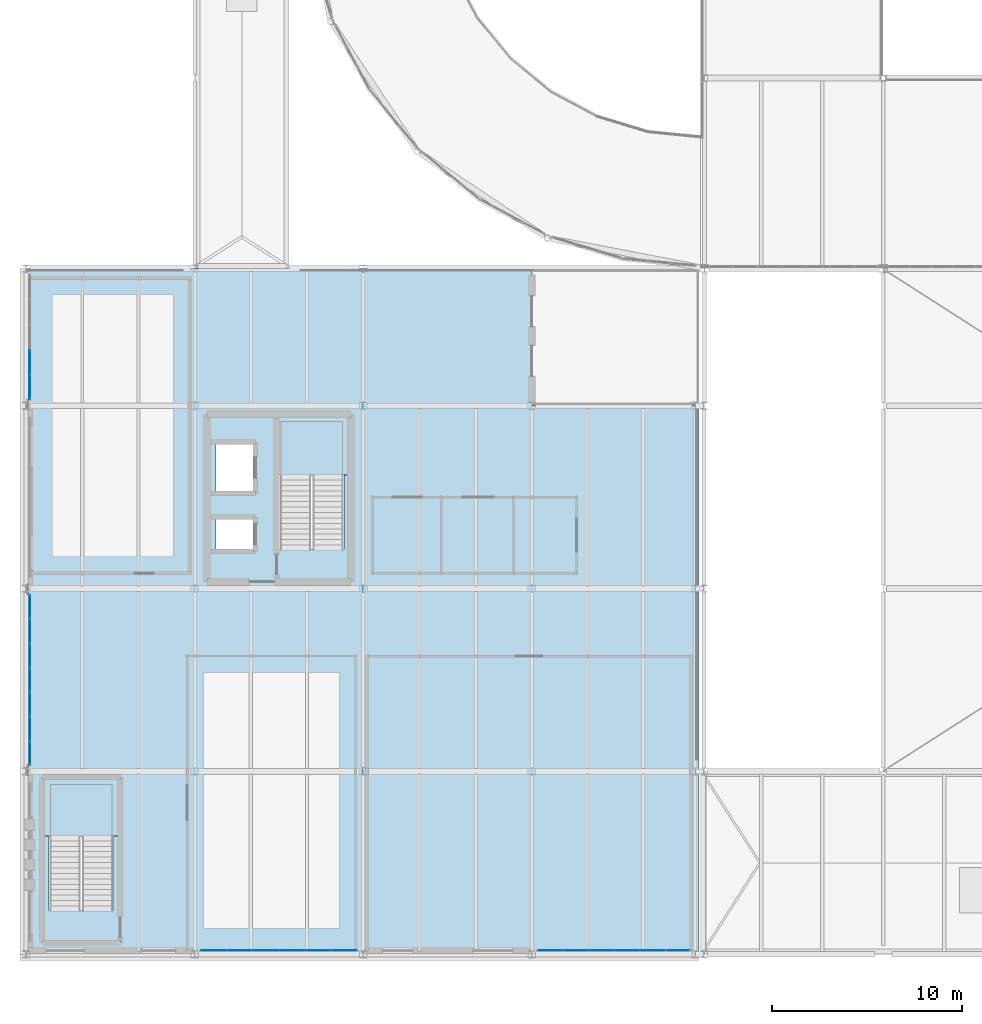
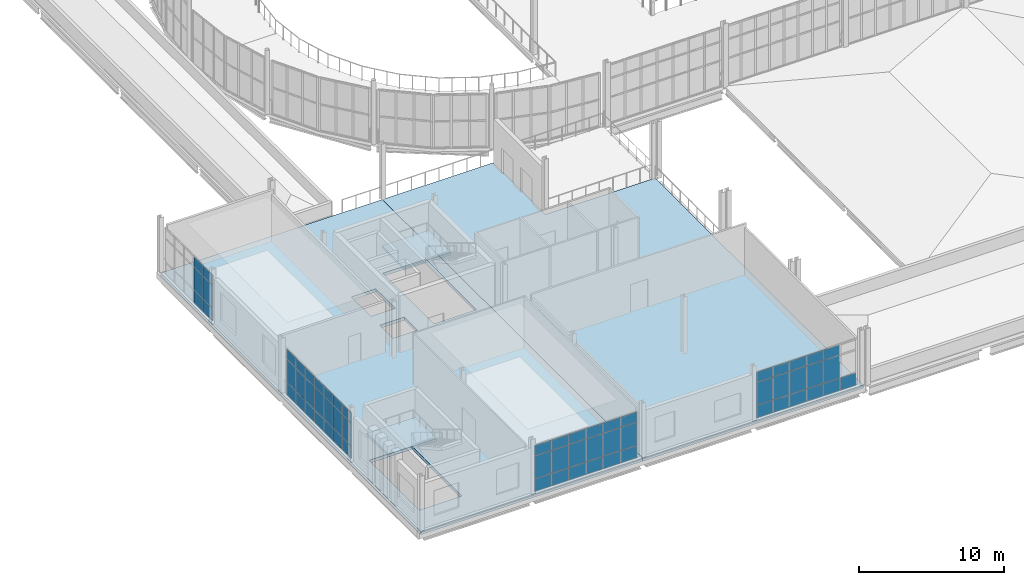
# One storey, part 72 of 112: 61 plates, 4 slabs, 6 elements without a shape of their own.
"""IFC4 building model written with IfcOpenShell, lengths in metres."""

from ifc_helpers import new_model, si_unit, direction, frame, origin, origin_2d, place, context, subcontext, project, spatial, polyline, rectangle, outline, extrude, material, layer, layer_set, type_object, element, aggregate, save


model = new_model("IFC4")

# Units and contexts
model_context = context("Model", 3, precision=1e-05, world=origin(), true_north=direction((0.0, 1.0)))
body_context = subcontext(model_context, "Body", "Model", "MODEL_VIEW")
ifc_project = project(units=[si_unit("LENGTHUNIT", "METRE"), si_unit("AREAUNIT", "SQUARE_METRE"), si_unit("VOLUMEUNIT", "CUBIC_METRE"), si_unit("PLANEANGLEUNIT", "RADIAN"), si_unit("MASSUNIT", "GRAM", prefix="KILO")], contexts=[model_context])

# Site, building, storey
site_placement = place(None, origin())
site = spatial("IfcSite", under=ifc_project, at=site_placement, CompositionType="ELEMENT")
building_placement = place(site_placement, origin())
building = spatial("IfcBuilding", under=site, at=building_placement, Name="Yeouljin Market Hall", CompositionType="ELEMENT")
storey_placement = place(building_placement, frame((0.0, 0.0, 6.0)))
storey = spatial("IfcBuildingStorey", under=building, at=storey_placement, Name="L01", CompositionType="ELEMENT", Elevation=6.0)

# Curtain wall, plates
ifc_material_1 = material(Name="Thermally Broken Aluminium", Category="aluminium")
ifc_layer_1 = layer(ifc_material_1, 0.14990234375)
ifc_layer_set_1 = layer_set([ifc_layer_1], Name="Thermally Broken Aluminium")
curtain_wall_type = type_object("IfcCurtainWallType", Name="CW_AcademyRibbon_System", PredefinedType="USERDEFINED", material=ifc_layer_set_1)
curtain_wall_1_placement = place(storey_placement, origin())
curtain_wall_1 = element("IfcCurtainWall", 1, at=curtain_wall_1_placement, inside=storey, type_object=curtain_wall_type, Name="Curtain wall CW-L01-W08", ObjectType="CURTAIN WALL", PredefinedType="USERDEFINED")
ifc_material_2 = material(Name="Anodised Bronze Spandrel Panel")
ifc_layer_2 = layer(ifc_material_2, 0.0439453125)
ifc_layer_set_2 = layer_set([ifc_layer_2], Name="Anodised Bronze Spandrel Panel")
plate_type_1 = type_object("IfcPlateType", Name="CWPanel_BronzeSpandrel_44", PredefinedType="CURTAIN_PANEL", material=ifc_layer_set_2)
plate_1_placement = place(storey_placement, frame((0.199951171875, 29.77197265625, 0.0478515625), z_axis=(0.0, 0.0, 1.0), x_axis=(0.0, 1.0, 0.0)))
plate_1 = element("IfcPlate", 2, at=plate_1_placement, type_object=plate_type_1, Name="CW-05 panel 1.1", PredefinedType="CURTAIN_PANEL", context=body_context, shape_type="SweptSolid", body=[
    extrude(rectangle(XDim=1.248046875, YDim=0.0439453125, at=origin_2d()), origin(), (0.0, 0.0, 1.0), 1.028076171875),
])
plate_2_placement = place(storey_placement, frame((0.199951171875, 29.77197265625, 1.1240234375), z_axis=(0.0, 0.0, 1.0), x_axis=(0.0, 1.0, 0.0)))
plate_2 = element("IfcPlate", 3, at=plate_2_placement, type_object=plate_type_1, Name="CW-05 panel 1.2", PredefinedType="CURTAIN_PANEL", context=body_context, shape_type="SweptSolid", body=[
    extrude(rectangle(XDim=1.248046875, YDim=0.0439453125, at=origin_2d()), origin(), (0.0, 0.0, 1.0), 1.902099609375),
])
plate_3_placement = place(storey_placement, frame((0.199951171875, 29.77197265625, 3.07421875), z_axis=(0.0, 0.0, 1.0), x_axis=(0.0, 1.0, 0.0)))
plate_3 = element("IfcPlate", 4, at=plate_3_placement, type_object=plate_type_1, Name="CW-05 panel 1.3", PredefinedType="CURTAIN_PANEL", context=body_context, shape_type="SweptSolid", body=[
    extrude(rectangle(XDim=1.248046875, YDim=0.0439453125, at=origin_2d()), origin(), (0.0, 0.0, 1.0), 0.827880859375),
])
plate_4_placement = place(storey_placement, frame((0.199951171875, 31.080078125, 0.0478515625), z_axis=(0.0, 0.0, 1.0), x_axis=(0.0, 1.0, 0.0)))
plate_4 = element("IfcPlate", 5, at=plate_4_placement, type_object=plate_type_1, Name="CW-05 panel 2.1", PredefinedType="CURTAIN_PANEL", context=body_context, shape_type="SweptSolid", body=[
    extrude(rectangle(XDim=1.27197265625, YDim=0.0439453125, at=origin_2d()), origin(), (0.0, 0.0, 1.0), 1.028076171875),
])
plate_5_placement = place(storey_placement, frame((0.199951171875, 31.080078125, 1.1240234375), z_axis=(0.0, 0.0, 1.0), x_axis=(0.0, 1.0, 0.0)))
plate_5 = element("IfcPlate", 6, at=plate_5_placement, type_object=plate_type_1, Name="CW-05 panel 2.2", PredefinedType="CURTAIN_PANEL", context=body_context, shape_type="SweptSolid", body=[
    extrude(rectangle(XDim=1.27197265625, YDim=0.0439453125, at=origin_2d()), origin(), (0.0, 0.0, 1.0), 1.902099609375),
])
plate_6_placement = place(storey_placement, frame((0.199951171875, 31.080078125, 3.07421875), z_axis=(0.0, 0.0, 1.0), x_axis=(0.0, 1.0, 0.0)))
plate_6 = element("IfcPlate", 7, at=plate_6_placement, type_object=plate_type_1, Name="CW-05 panel 2.3", PredefinedType="CURTAIN_PANEL", context=body_context, shape_type="SweptSolid", body=[
    extrude(rectangle(XDim=1.27197265625, YDim=0.0439453125, at=origin_2d()), origin(), (0.0, 0.0, 1.0), 0.827880859375),
])
aggregate(curtain_wall_1, [plate_1, plate_2, plate_3, plate_4, plate_5, plate_6])

curtain_wall_2_placement = place(storey_placement, origin())
curtain_wall_2 = element("IfcCurtainWall", 8, at=curtain_wall_2_placement, inside=storey, type_object=curtain_wall_type, Name="Curtain wall CW-L01-W01", ObjectType="CURTAIN WALL", PredefinedType="USERDEFINED")
ifc_material_3 = material(Name="Low-E Insulated Glass", Category="glass")
ifc_layer_3 = layer(ifc_material_3, 0.028076171875)
ifc_layer_set_3 = layer_set([ifc_layer_3], Name="Low-E Insulated Glass")
plate_type_2 = type_object("IfcPlateType", Name="CWPanel_LowE_28", PredefinedType="CURTAIN_PANEL", material=ifc_layer_set_3)
plate_7_placement = place(storey_placement, frame((34.21728515625, 0.199951171875, 0.0478515625), z_axis=(0.0, 0.0, 1.0), x_axis=(-1.0, 0.0, 0.0)))
plate_7 = element("IfcPlate", 9, at=plate_7_placement, type_object=plate_type_2, Name="CW-05 panel 1.1", PredefinedType="CURTAIN_PANEL", context=body_context, shape_type="SweptSolid", body=[
    extrude(rectangle(XDim=1.269775390625, YDim=0.028076171875, at=origin_2d()), origin(), (0.0, 0.0, 1.0), 1.028076171875),
])
plate_8_placement = place(storey_placement, frame((32.887451171875, 0.199951171875, 0.0478515625), z_axis=(0.0, 0.0, 1.0), x_axis=(-1.0, 0.0, 0.0)))
plate_8 = element("IfcPlate", 10, at=plate_8_placement, type_object=plate_type_2, Name="CW-05 panel 2.1", PredefinedType="CURTAIN_PANEL", context=body_context, shape_type="SweptSolid", body=[
    extrude(rectangle(XDim=1.293701171875, YDim=0.028076171875, at=origin_2d()), origin(), (0.0, 0.0, 1.0), 1.028076171875),
])
plate_9_placement = place(storey_placement, frame((32.887451171875, 0.199951171875, 1.1240234375), z_axis=(0.0, 0.0, 1.0), x_axis=(-1.0, 0.0, 0.0)))
plate_9 = element("IfcPlate", 11, at=plate_9_placement, type_object=plate_type_2, Name="CW-05 panel 2.2", PredefinedType="CURTAIN_PANEL", context=body_context, shape_type="SweptSolid", body=[
    extrude(rectangle(XDim=1.293701171875, YDim=0.028076171875, at=origin_2d()), origin(), (0.0, 0.0, 1.0), 1.902099609375),
])
plate_10_placement = place(storey_placement, frame((32.887451171875, 0.199951171875, 3.07421875), z_axis=(0.0, 0.0, 1.0), x_axis=(-1.0, 0.0, 0.0)))
plate_10 = element("IfcPlate", 12, at=plate_10_placement, type_object=plate_type_2, Name="CW-05 panel 2.3", PredefinedType="CURTAIN_PANEL", context=body_context, shape_type="SweptSolid", body=[
    extrude(rectangle(XDim=1.293701171875, YDim=0.028076171875, at=origin_2d()), origin(), (0.0, 0.0, 1.0), 0.827880859375),
])
plate_11_placement = place(storey_placement, frame((31.5458984375, 0.199951171875, 0.0478515625), z_axis=(0.0, 0.0, 1.0), x_axis=(-1.0, 0.0, 0.0)))
plate_11 = element("IfcPlate", 13, at=plate_11_placement, type_object=plate_type_2, Name="CW-05 panel 3.1", PredefinedType="CURTAIN_PANEL", context=body_context, shape_type="SweptSolid", body=[
    extrude(rectangle(XDim=1.293701171875, YDim=0.028076171875, at=origin_2d()), origin(), (0.0, 0.0, 1.0), 1.028076171875),
])
plate_12_placement = place(storey_placement, frame((31.5458984375, 0.199951171875, 1.1240234375), z_axis=(0.0, 0.0, 1.0), x_axis=(-1.0, 0.0, 0.0)))
plate_12 = element("IfcPlate", 14, at=plate_12_placement, type_object=plate_type_2, Name="CW-05 panel 3.2", PredefinedType="CURTAIN_PANEL", context=body_context, shape_type="SweptSolid", body=[
    extrude(rectangle(XDim=1.293701171875, YDim=0.028076171875, at=origin_2d()), origin(), (0.0, 0.0, 1.0), 1.902099609375),
])
plate_13_placement = place(storey_placement, frame((31.5458984375, 0.199951171875, 3.07421875), z_axis=(0.0, 0.0, 1.0), x_axis=(-1.0, 0.0, 0.0)))
plate_13 = element("IfcPlate", 15, at=plate_13_placement, type_object=plate_type_2, Name="CW-05 panel 3.3", PredefinedType="CURTAIN_PANEL", context=body_context, shape_type="SweptSolid", body=[
    extrude(rectangle(XDim=1.293701171875, YDim=0.028076171875, at=origin_2d()), origin(), (0.0, 0.0, 1.0), 0.827880859375),
])
plate_14_placement = place(storey_placement, frame((30.2041015625, 0.199951171875, 0.0478515625), z_axis=(0.0, 0.0, 1.0), x_axis=(-1.0, 0.0, 0.0)))
plate_14 = element("IfcPlate", 16, at=plate_14_placement, type_object=plate_type_2, Name="CW-05 panel 4.1", PredefinedType="CURTAIN_PANEL", context=body_context, shape_type="SweptSolid", body=[
    extrude(rectangle(XDim=1.293701171875, YDim=0.028076171875, at=origin_2d()), origin(), (0.0, 0.0, 1.0), 1.028076171875),
])
plate_15_placement = place(storey_placement, frame((30.2041015625, 0.199951171875, 1.1240234375), z_axis=(0.0, 0.0, 1.0), x_axis=(-1.0, 0.0, 0.0)))
plate_15 = element("IfcPlate", 17, at=plate_15_placement, type_object=plate_type_2, Name="CW-05 panel 4.2", PredefinedType="CURTAIN_PANEL", context=body_context, shape_type="SweptSolid", body=[
    extrude(rectangle(XDim=1.293701171875, YDim=0.028076171875, at=origin_2d()), origin(), (0.0, 0.0, 1.0), 1.902099609375),
])
plate_16_placement = place(storey_placement, frame((30.2041015625, 0.199951171875, 3.07421875), z_axis=(0.0, 0.0, 1.0), x_axis=(-1.0, 0.0, 0.0)))
plate_16 = element("IfcPlate", 18, at=plate_16_placement, type_object=plate_type_2, Name="CW-05 panel 4.3", PredefinedType="CURTAIN_PANEL", context=body_context, shape_type="SweptSolid", body=[
    extrude(rectangle(XDim=1.293701171875, YDim=0.028076171875, at=origin_2d()), origin(), (0.0, 0.0, 1.0), 0.827880859375),
])
plate_17_placement = place(storey_placement, frame((28.862548828125, 0.199951171875, 0.0478515625), z_axis=(0.0, 0.0, 1.0), x_axis=(-1.0, 0.0, 0.0)))
plate_17 = element("IfcPlate", 19, at=plate_17_placement, type_object=plate_type_2, Name="CW-05 panel 5.1", PredefinedType="CURTAIN_PANEL", context=body_context, shape_type="SweptSolid", body=[
    extrude(rectangle(XDim=1.293701171875, YDim=0.028076171875, at=origin_2d()), origin(), (0.0, 0.0, 1.0), 1.028076171875),
])
plate_18_placement = place(storey_placement, frame((28.862548828125, 0.199951171875, 1.1240234375), z_axis=(0.0, 0.0, 1.0), x_axis=(-1.0, 0.0, 0.0)))
plate_18 = element("IfcPlate", 20, at=plate_18_placement, type_object=plate_type_2, Name="CW-05 panel 5.2", PredefinedType="CURTAIN_PANEL", context=body_context, shape_type="SweptSolid", body=[
    extrude(rectangle(XDim=1.293701171875, YDim=0.028076171875, at=origin_2d()), origin(), (0.0, 0.0, 1.0), 1.902099609375),
])
plate_19_placement = place(storey_placement, frame((28.862548828125, 0.199951171875, 3.07421875), z_axis=(0.0, 0.0, 1.0), x_axis=(-1.0, 0.0, 0.0)))
plate_19 = element("IfcPlate", 21, at=plate_19_placement, type_object=plate_type_2, Name="CW-05 panel 5.3", PredefinedType="CURTAIN_PANEL", context=body_context, shape_type="SweptSolid", body=[
    extrude(rectangle(XDim=1.293701171875, YDim=0.028076171875, at=origin_2d()), origin(), (0.0, 0.0, 1.0), 0.827880859375),
])
plate_20_placement = place(storey_placement, frame((27.53271484375, 0.199951171875, 0.0478515625), z_axis=(0.0, 0.0, 1.0), x_axis=(-1.0, 0.0, 0.0)))
plate_20 = element("IfcPlate", 22, at=plate_20_placement, type_object=plate_type_2, Name="CW-05 panel 6.1", PredefinedType="CURTAIN_PANEL", context=body_context, shape_type="SweptSolid", body=[
    extrude(rectangle(XDim=1.269775390625, YDim=0.028076171875, at=origin_2d()), origin(), (0.0, 0.0, 1.0), 1.028076171875),
])
plate_21_placement = place(storey_placement, frame((27.53271484375, 0.199951171875, 1.1240234375), z_axis=(0.0, 0.0, 1.0), x_axis=(-1.0, 0.0, 0.0)))
plate_21 = element("IfcPlate", 23, at=plate_21_placement, type_object=plate_type_2, Name="CW-05 panel 6.2", PredefinedType="CURTAIN_PANEL", context=body_context, shape_type="SweptSolid", body=[
    extrude(rectangle(XDim=1.269775390625, YDim=0.028076171875, at=origin_2d()), origin(), (0.0, 0.0, 1.0), 1.902099609375),
])
plate_22_placement = place(storey_placement, frame((27.53271484375, 0.199951171875, 3.07421875), z_axis=(0.0, 0.0, 1.0), x_axis=(-1.0, 0.0, 0.0)))
plate_22 = element("IfcPlate", 24, at=plate_22_placement, type_object=plate_type_2, Name="CW-05 panel 6.3", PredefinedType="CURTAIN_PANEL", context=body_context, shape_type="SweptSolid", body=[
    extrude(rectangle(XDim=1.269775390625, YDim=0.028076171875, at=origin_2d()), origin(), (0.0, 0.0, 1.0), 0.827880859375),
])
aggregate(curtain_wall_2, [plate_7, plate_8, plate_9, plate_10, plate_11, plate_12, plate_13, plate_14, plate_15, plate_16, plate_17, plate_18, plate_19, plate_20, plate_21, plate_22])

curtain_wall_3_placement = place(storey_placement, origin())
curtain_wall_3 = element("IfcCurtainWall", 25, at=curtain_wall_3_placement, inside=storey, type_object=curtain_wall_type, Name="Curtain wall CW-L01-W03", ObjectType="CURTAIN WALL", PredefinedType="USERDEFINED")
plate_23_placement = place(storey_placement, frame((16.700439453125, 0.199951171875, 0.0478515625), z_axis=(0.0, 0.0, 1.0), x_axis=(-1.0, 0.0, 0.0)))
plate_23 = element("IfcPlate", 26, at=plate_23_placement, type_object=plate_type_2, Name="CW-05 panel 1.1", PredefinedType="CURTAIN_PANEL", context=body_context, shape_type="SweptSolid", body=[
    extrude(rectangle(XDim=1.302978515625, YDim=0.028076171875, at=origin_2d()), origin(), (0.0, 0.0, 1.0), 1.028076171875),
])
plate_24_placement = place(storey_placement, frame((16.700439453125, 0.199951171875, 1.1240234375), z_axis=(0.0, 0.0, 1.0), x_axis=(-1.0, 0.0, 0.0)))
plate_24 = element("IfcPlate", 27, at=plate_24_placement, type_object=plate_type_2, Name="CW-05 panel 1.2", PredefinedType="CURTAIN_PANEL", context=body_context, shape_type="SweptSolid", body=[
    extrude(rectangle(XDim=1.302978515625, YDim=0.028076171875, at=origin_2d()), origin(), (0.0, 0.0, 1.0), 1.902099609375),
])
plate_25_placement = place(storey_placement, frame((16.700439453125, 0.199951171875, 3.07421875), z_axis=(0.0, 0.0, 1.0), x_axis=(-1.0, 0.0, 0.0)))
plate_25 = element("IfcPlate", 28, at=plate_25_placement, type_object=plate_type_2, Name="CW-05 panel 1.3", PredefinedType="CURTAIN_PANEL", context=body_context, shape_type="SweptSolid", body=[
    extrude(rectangle(XDim=1.302978515625, YDim=0.028076171875, at=origin_2d()), origin(), (0.0, 0.0, 1.0), 0.827880859375),
])
plate_26_placement = place(storey_placement, frame((15.33740234375, 0.199951171875, 0.0478515625), z_axis=(0.0, 0.0, 1.0), x_axis=(-1.0, 0.0, 0.0)))
plate_26 = element("IfcPlate", 29, at=plate_26_placement, type_object=plate_type_2, Name="CW-05 panel 2.1", PredefinedType="CURTAIN_PANEL", context=body_context, shape_type="SweptSolid", body=[
    extrude(rectangle(XDim=1.326904296875, YDim=0.028076171875, at=origin_2d()), origin(), (0.0, 0.0, 1.0), 1.028076171875),
])
plate_27_placement = place(storey_placement, frame((15.33740234375, 0.199951171875, 1.1240234375), z_axis=(0.0, 0.0, 1.0), x_axis=(-1.0, 0.0, 0.0)))
plate_27 = element("IfcPlate", 30, at=plate_27_placement, type_object=plate_type_2, Name="CW-05 panel 2.2", PredefinedType="CURTAIN_PANEL", context=body_context, shape_type="SweptSolid", body=[
    extrude(rectangle(XDim=1.326904296875, YDim=0.028076171875, at=origin_2d()), origin(), (0.0, 0.0, 1.0), 1.902099609375),
])
plate_28_placement = place(storey_placement, frame((15.33740234375, 0.199951171875, 3.07421875), z_axis=(0.0, 0.0, 1.0), x_axis=(-1.0, 0.0, 0.0)))
plate_28 = element("IfcPlate", 31, at=plate_28_placement, type_object=plate_type_2, Name="CW-05 panel 2.3", PredefinedType="CURTAIN_PANEL", context=body_context, shape_type="SweptSolid", body=[
    extrude(rectangle(XDim=1.326904296875, YDim=0.028076171875, at=origin_2d()), origin(), (0.0, 0.0, 1.0), 0.827880859375),
])
plate_29_placement = place(storey_placement, frame((13.96240234375, 0.199951171875, 0.0478515625), z_axis=(0.0, 0.0, 1.0), x_axis=(-1.0, 0.0, 0.0)))
plate_29 = element("IfcPlate", 32, at=plate_29_placement, type_object=plate_type_2, Name="CW-05 panel 3.1", PredefinedType="CURTAIN_PANEL", context=body_context, shape_type="SweptSolid", body=[
    extrude(rectangle(XDim=1.326904296875, YDim=0.028076171875, at=origin_2d()), origin(), (0.0, 0.0, 1.0), 1.028076171875),
])
plate_30_placement = place(storey_placement, frame((13.96240234375, 0.199951171875, 1.1240234375), z_axis=(0.0, 0.0, 1.0), x_axis=(-1.0, 0.0, 0.0)))
plate_30 = element("IfcPlate", 33, at=plate_30_placement, type_object=plate_type_2, Name="CW-05 panel 3.2", PredefinedType="CURTAIN_PANEL", context=body_context, shape_type="SweptSolid", body=[
    extrude(rectangle(XDim=1.326904296875, YDim=0.028076171875, at=origin_2d()), origin(), (0.0, 0.0, 1.0), 1.902099609375),
])
plate_31_placement = place(storey_placement, frame((13.96240234375, 0.199951171875, 3.07421875), z_axis=(0.0, 0.0, 1.0), x_axis=(-1.0, 0.0, 0.0)))
plate_31 = element("IfcPlate", 34, at=plate_31_placement, type_object=plate_type_2, Name="CW-05 panel 3.3", PredefinedType="CURTAIN_PANEL", context=body_context, shape_type="SweptSolid", body=[
    extrude(rectangle(XDim=1.326904296875, YDim=0.028076171875, at=origin_2d()), origin(), (0.0, 0.0, 1.0), 0.827880859375),
])
plate_32_placement = place(storey_placement, frame((12.58740234375, 0.199951171875, 0.0478515625), z_axis=(0.0, 0.0, 1.0), x_axis=(-1.0, 0.0, 0.0)))
plate_32 = element("IfcPlate", 35, at=plate_32_placement, type_object=plate_type_2, Name="CW-05 panel 4.1", PredefinedType="CURTAIN_PANEL", context=body_context, shape_type="SweptSolid", body=[
    extrude(rectangle(XDim=1.326904296875, YDim=0.028076171875, at=origin_2d()), origin(), (0.0, 0.0, 1.0), 1.028076171875),
])
plate_33_placement = place(storey_placement, frame((12.58740234375, 0.199951171875, 1.1240234375), z_axis=(0.0, 0.0, 1.0), x_axis=(-1.0, 0.0, 0.0)))
plate_33 = element("IfcPlate", 36, at=plate_33_placement, type_object=plate_type_2, Name="CW-05 panel 4.2", PredefinedType="CURTAIN_PANEL", context=body_context, shape_type="SweptSolid", body=[
    extrude(rectangle(XDim=1.326904296875, YDim=0.028076171875, at=origin_2d()), origin(), (0.0, 0.0, 1.0), 1.902099609375),
])
plate_34_placement = place(storey_placement, frame((12.58740234375, 0.199951171875, 3.07421875), z_axis=(0.0, 0.0, 1.0), x_axis=(-1.0, 0.0, 0.0)))
plate_34 = element("IfcPlate", 37, at=plate_34_placement, type_object=plate_type_2, Name="CW-05 panel 4.3", PredefinedType="CURTAIN_PANEL", context=body_context, shape_type="SweptSolid", body=[
    extrude(rectangle(XDim=1.326904296875, YDim=0.028076171875, at=origin_2d()), origin(), (0.0, 0.0, 1.0), 0.827880859375),
])
plate_35_placement = place(storey_placement, frame((11.21240234375, 0.199951171875, 0.0478515625), z_axis=(0.0, 0.0, 1.0), x_axis=(-1.0, 0.0, 0.0)))
plate_35 = element("IfcPlate", 38, at=plate_35_placement, type_object=plate_type_2, Name="CW-05 panel 5.1", PredefinedType="CURTAIN_PANEL", context=body_context, shape_type="SweptSolid", body=[
    extrude(rectangle(XDim=1.326904296875, YDim=0.028076171875, at=origin_2d()), origin(), (0.0, 0.0, 1.0), 1.028076171875),
])
plate_36_placement = place(storey_placement, frame((11.21240234375, 0.199951171875, 1.1240234375), z_axis=(0.0, 0.0, 1.0), x_axis=(-1.0, 0.0, 0.0)))
plate_36 = element("IfcPlate", 39, at=plate_36_placement, type_object=plate_type_2, Name="CW-05 panel 5.2", PredefinedType="CURTAIN_PANEL", context=body_context, shape_type="SweptSolid", body=[
    extrude(rectangle(XDim=1.326904296875, YDim=0.028076171875, at=origin_2d()), origin(), (0.0, 0.0, 1.0), 1.902099609375),
])
plate_37_placement = place(storey_placement, frame((11.21240234375, 0.199951171875, 3.07421875), z_axis=(0.0, 0.0, 1.0), x_axis=(-1.0, 0.0, 0.0)))
plate_37 = element("IfcPlate", 40, at=plate_37_placement, type_object=plate_type_2, Name="CW-05 panel 5.3", PredefinedType="CURTAIN_PANEL", context=body_context, shape_type="SweptSolid", body=[
    extrude(rectangle(XDim=1.326904296875, YDim=0.028076171875, at=origin_2d()), origin(), (0.0, 0.0, 1.0), 0.827880859375),
])
plate_38_placement = place(storey_placement, frame((9.849609375, 0.199951171875, 0.0478515625), z_axis=(0.0, 0.0, 1.0), x_axis=(-1.0, 0.0, 0.0)))
plate_38 = element("IfcPlate", 41, at=plate_38_placement, type_object=plate_type_2, Name="CW-05 panel 6.1", PredefinedType="CURTAIN_PANEL", context=body_context, shape_type="SweptSolid", body=[
    extrude(rectangle(XDim=1.302978515625, YDim=0.028076171875, at=origin_2d()), origin(), (0.0, 0.0, 1.0), 1.028076171875),
])
plate_39_placement = place(storey_placement, frame((9.849609375, 0.199951171875, 1.1240234375), z_axis=(0.0, 0.0, 1.0), x_axis=(-1.0, 0.0, 0.0)))
plate_39 = element("IfcPlate", 42, at=plate_39_placement, type_object=plate_type_2, Name="CW-05 panel 6.2", PredefinedType="CURTAIN_PANEL", context=body_context, shape_type="SweptSolid", body=[
    extrude(rectangle(XDim=1.302978515625, YDim=0.028076171875, at=origin_2d()), origin(), (0.0, 0.0, 1.0), 1.902099609375),
])
plate_40_placement = place(storey_placement, frame((9.849609375, 0.199951171875, 3.07421875), z_axis=(0.0, 0.0, 1.0), x_axis=(-1.0, 0.0, 0.0)))
plate_40 = element("IfcPlate", 43, at=plate_40_placement, type_object=plate_type_2, Name="CW-05 panel 6.3", PredefinedType="CURTAIN_PANEL", context=body_context, shape_type="SweptSolid", body=[
    extrude(rectangle(XDim=1.302978515625, YDim=0.028076171875, at=origin_2d()), origin(), (0.0, 0.0, 1.0), 0.827880859375),
])
aggregate(curtain_wall_3, [plate_23, plate_24, plate_25, plate_26, plate_27, plate_28, plate_29, plate_30, plate_31, plate_32, plate_33, plate_34, plate_35, plate_36, plate_37, plate_38, plate_39, plate_40])

curtain_wall_4_placement = place(storey_placement, origin())
curtain_wall_4 = element("IfcCurtainWall", 44, at=curtain_wall_4_placement, inside=storey, type_object=curtain_wall_type, Name="Curtain wall CW-L01-W06", ObjectType="CURTAIN WALL", PredefinedType="USERDEFINED")
plate_41_placement = place(storey_placement, frame((0.199951171875, 10.554931640625, 0.0478515625), z_axis=(0.0, 0.0, 1.0), x_axis=(0.0, 1.0, 0.0)))
plate_41 = element("IfcPlate", 45, at=plate_41_placement, type_object=plate_type_2, Name="CW-05 panel 1.1", PredefinedType="CURTAIN_PANEL", context=body_context, shape_type="SweptSolid", body=[
    extrude(rectangle(XDim=1.213623046875, YDim=0.028076171875, at=origin_2d()), origin(), (0.0, 0.0, 1.0), 1.028076171875),
])
plate_42_placement = place(storey_placement, frame((0.199951171875, 10.554931640625, 1.1240234375), z_axis=(0.0, 0.0, 1.0), x_axis=(0.0, 1.0, 0.0)))
plate_42 = element("IfcPlate", 46, at=plate_42_placement, type_object=plate_type_2, Name="CW-05 panel 1.2", PredefinedType="CURTAIN_PANEL", context=body_context, shape_type="SweptSolid", body=[
    extrude(rectangle(XDim=1.213623046875, YDim=0.028076171875, at=origin_2d()), origin(), (0.0, 0.0, 1.0), 1.902099609375),
])
plate_43_placement = place(storey_placement, frame((0.199951171875, 10.554931640625, 3.07421875), z_axis=(0.0, 0.0, 1.0), x_axis=(0.0, 1.0, 0.0)))
plate_43 = element("IfcPlate", 47, at=plate_43_placement, type_object=plate_type_2, Name="CW-05 panel 1.3", PredefinedType="CURTAIN_PANEL", context=body_context, shape_type="SweptSolid", body=[
    extrude(rectangle(XDim=1.213623046875, YDim=0.028076171875, at=origin_2d()), origin(), (0.0, 0.0, 1.0), 0.827880859375),
])
plate_44_placement = place(storey_placement, frame((0.199951171875, 11.82861328125, 0.0478515625), z_axis=(0.0, 0.0, 1.0), x_axis=(0.0, 1.0, 0.0)))
plate_44 = element("IfcPlate", 48, at=plate_44_placement, type_object=plate_type_2, Name="CW-05 panel 2.1", PredefinedType="CURTAIN_PANEL", context=body_context, shape_type="SweptSolid", body=[
    extrude(rectangle(XDim=1.23779296875, YDim=0.028076171875, at=origin_2d()), origin(), (0.0, 0.0, 1.0), 1.028076171875),
])
plate_45_placement = place(storey_placement, frame((0.199951171875, 11.82861328125, 1.1240234375), z_axis=(0.0, 0.0, 1.0), x_axis=(0.0, 1.0, 0.0)))
plate_45 = element("IfcPlate", 49, at=plate_45_placement, type_object=plate_type_2, Name="CW-05 panel 2.2", PredefinedType="CURTAIN_PANEL", context=body_context, shape_type="SweptSolid", body=[
    extrude(rectangle(XDim=1.23779296875, YDim=0.028076171875, at=origin_2d()), origin(), (0.0, 0.0, 1.0), 1.902099609375),
])
plate_46_placement = place(storey_placement, frame((0.199951171875, 11.82861328125, 3.07421875), z_axis=(0.0, 0.0, 1.0), x_axis=(0.0, 1.0, 0.0)))
plate_46 = element("IfcPlate", 50, at=plate_46_placement, type_object=plate_type_2, Name="CW-05 panel 2.3", PredefinedType="CURTAIN_PANEL", context=body_context, shape_type="SweptSolid", body=[
    extrude(rectangle(XDim=1.23779296875, YDim=0.028076171875, at=origin_2d()), origin(), (0.0, 0.0, 1.0), 0.827880859375),
])
plate_47_placement = place(storey_placement, frame((0.199951171875, 13.1142578125, 0.0478515625), z_axis=(0.0, 0.0, 1.0), x_axis=(0.0, 1.0, 0.0)))
plate_47 = element("IfcPlate", 51, at=plate_47_placement, type_object=plate_type_2, Name="CW-05 panel 3.1", PredefinedType="CURTAIN_PANEL", context=body_context, shape_type="SweptSolid", body=[
    extrude(rectangle(XDim=1.23779296875, YDim=0.028076171875, at=origin_2d()), origin(), (0.0, 0.0, 1.0), 1.028076171875),
])
plate_48_placement = place(storey_placement, frame((0.199951171875, 13.1142578125, 1.1240234375), z_axis=(0.0, 0.0, 1.0), x_axis=(0.0, 1.0, 0.0)))
plate_48 = element("IfcPlate", 52, at=plate_48_placement, type_object=plate_type_2, Name="CW-05 panel 3.2", PredefinedType="CURTAIN_PANEL", context=body_context, shape_type="SweptSolid", body=[
    extrude(rectangle(XDim=1.23779296875, YDim=0.028076171875, at=origin_2d()), origin(), (0.0, 0.0, 1.0), 1.902099609375),
])
plate_49_placement = place(storey_placement, frame((0.199951171875, 13.1142578125, 3.07421875), z_axis=(0.0, 0.0, 1.0), x_axis=(0.0, 1.0, 0.0)))
plate_49 = element("IfcPlate", 53, at=plate_49_placement, type_object=plate_type_2, Name="CW-05 panel 3.3", PredefinedType="CURTAIN_PANEL", context=body_context, shape_type="SweptSolid", body=[
    extrude(rectangle(XDim=1.23779296875, YDim=0.028076171875, at=origin_2d()), origin(), (0.0, 0.0, 1.0), 0.827880859375),
])
plate_50_placement = place(storey_placement, frame((0.199951171875, 14.39990234375, 0.0478515625), z_axis=(0.0, 0.0, 1.0), x_axis=(0.0, 1.0, 0.0)))
plate_50 = element("IfcPlate", 54, at=plate_50_placement, type_object=plate_type_2, Name="CW-05 panel 4.1", PredefinedType="CURTAIN_PANEL", context=body_context, shape_type="SweptSolid", body=[
    extrude(rectangle(XDim=1.23779296875, YDim=0.028076171875, at=origin_2d()), origin(), (0.0, 0.0, 1.0), 1.028076171875),
])
plate_51_placement = place(storey_placement, frame((0.199951171875, 14.39990234375, 1.1240234375), z_axis=(0.0, 0.0, 1.0), x_axis=(0.0, 1.0, 0.0)))
plate_51 = element("IfcPlate", 55, at=plate_51_placement, type_object=plate_type_2, Name="CW-05 panel 4.2", PredefinedType="CURTAIN_PANEL", context=body_context, shape_type="SweptSolid", body=[
    extrude(rectangle(XDim=1.23779296875, YDim=0.028076171875, at=origin_2d()), origin(), (0.0, 0.0, 1.0), 1.902099609375),
])
plate_52_placement = place(storey_placement, frame((0.199951171875, 14.39990234375, 3.07421875), z_axis=(0.0, 0.0, 1.0), x_axis=(0.0, 1.0, 0.0)))
plate_52 = element("IfcPlate", 56, at=plate_52_placement, type_object=plate_type_2, Name="CW-05 panel 4.3", PredefinedType="CURTAIN_PANEL", context=body_context, shape_type="SweptSolid", body=[
    extrude(rectangle(XDim=1.23779296875, YDim=0.028076171875, at=origin_2d()), origin(), (0.0, 0.0, 1.0), 0.827880859375),
])
plate_53_placement = place(storey_placement, frame((0.199951171875, 15.685791015625, 0.0478515625), z_axis=(0.0, 0.0, 1.0), x_axis=(0.0, 1.0, 0.0)))
plate_53 = element("IfcPlate", 57, at=plate_53_placement, type_object=plate_type_2, Name="CW-05 panel 5.1", PredefinedType="CURTAIN_PANEL", context=body_context, shape_type="SweptSolid", body=[
    extrude(rectangle(XDim=1.23779296875, YDim=0.028076171875, at=origin_2d()), origin(), (0.0, 0.0, 1.0), 1.028076171875),
])
plate_54_placement = place(storey_placement, frame((0.199951171875, 15.685791015625, 1.1240234375), z_axis=(0.0, 0.0, 1.0), x_axis=(0.0, 1.0, 0.0)))
plate_54 = element("IfcPlate", 58, at=plate_54_placement, type_object=plate_type_2, Name="CW-05 panel 5.2", PredefinedType="CURTAIN_PANEL", context=body_context, shape_type="SweptSolid", body=[
    extrude(rectangle(XDim=1.23779296875, YDim=0.028076171875, at=origin_2d()), origin(), (0.0, 0.0, 1.0), 1.902099609375),
])
plate_55_placement = place(storey_placement, frame((0.199951171875, 15.685791015625, 3.07421875), z_axis=(0.0, 0.0, 1.0), x_axis=(0.0, 1.0, 0.0)))
plate_55 = element("IfcPlate", 59, at=plate_55_placement, type_object=plate_type_2, Name="CW-05 panel 5.3", PredefinedType="CURTAIN_PANEL", context=body_context, shape_type="SweptSolid", body=[
    extrude(rectangle(XDim=1.23779296875, YDim=0.028076171875, at=origin_2d()), origin(), (0.0, 0.0, 1.0), 0.827880859375),
])
plate_56_placement = place(storey_placement, frame((0.199951171875, 16.971435546875, 0.0478515625), z_axis=(0.0, 0.0, 1.0), x_axis=(0.0, 1.0, 0.0)))
plate_56 = element("IfcPlate", 60, at=plate_56_placement, type_object=plate_type_2, Name="CW-05 panel 6.1", PredefinedType="CURTAIN_PANEL", context=body_context, shape_type="SweptSolid", body=[
    extrude(rectangle(XDim=1.23779296875, YDim=0.028076171875, at=origin_2d()), origin(), (0.0, 0.0, 1.0), 1.028076171875),
])
plate_57_placement = place(storey_placement, frame((0.199951171875, 16.971435546875, 1.1240234375), z_axis=(0.0, 0.0, 1.0), x_axis=(0.0, 1.0, 0.0)))
plate_57 = element("IfcPlate", 61, at=plate_57_placement, type_object=plate_type_2, Name="CW-05 panel 6.2", PredefinedType="CURTAIN_PANEL", context=body_context, shape_type="SweptSolid", body=[
    extrude(rectangle(XDim=1.23779296875, YDim=0.028076171875, at=origin_2d()), origin(), (0.0, 0.0, 1.0), 1.902099609375),
])
plate_58_placement = place(storey_placement, frame((0.199951171875, 16.971435546875, 3.07421875), z_axis=(0.0, 0.0, 1.0), x_axis=(0.0, 1.0, 0.0)))
plate_58 = element("IfcPlate", 62, at=plate_58_placement, type_object=plate_type_2, Name="CW-05 panel 6.3", PredefinedType="CURTAIN_PANEL", context=body_context, shape_type="SweptSolid", body=[
    extrude(rectangle(XDim=1.23779296875, YDim=0.028076171875, at=origin_2d()), origin(), (0.0, 0.0, 1.0), 0.827880859375),
])
plate_59_placement = place(storey_placement, frame((0.199951171875, 18.2451171875, 0.0478515625), z_axis=(0.0, 0.0, 1.0), x_axis=(0.0, 1.0, 0.0)))
plate_59 = element("IfcPlate", 63, at=plate_59_placement, type_object=plate_type_2, Name="CW-05 panel 7.1", PredefinedType="CURTAIN_PANEL", context=body_context, shape_type="SweptSolid", body=[
    extrude(rectangle(XDim=1.213623046875, YDim=0.028076171875, at=origin_2d()), origin(), (0.0, 0.0, 1.0), 1.028076171875),
])
plate_60_placement = place(storey_placement, frame((0.199951171875, 18.2451171875, 1.1240234375), z_axis=(0.0, 0.0, 1.0), x_axis=(0.0, 1.0, 0.0)))
plate_60 = element("IfcPlate", 64, at=plate_60_placement, type_object=plate_type_2, Name="CW-05 panel 7.2", PredefinedType="CURTAIN_PANEL", context=body_context, shape_type="SweptSolid", body=[
    extrude(rectangle(XDim=1.213623046875, YDim=0.028076171875, at=origin_2d()), origin(), (0.0, 0.0, 1.0), 1.902099609375),
])
plate_61_placement = place(storey_placement, frame((0.199951171875, 18.2451171875, 3.07421875), z_axis=(0.0, 0.0, 1.0), x_axis=(0.0, 1.0, 0.0)))
plate_61 = element("IfcPlate", 65, at=plate_61_placement, type_object=plate_type_2, Name="CW-05 panel 7.3", PredefinedType="CURTAIN_PANEL", context=body_context, shape_type="SweptSolid", body=[
    extrude(rectangle(XDim=1.213623046875, YDim=0.028076171875, at=origin_2d()), origin(), (0.0, 0.0, 1.0), 0.827880859375),
])
aggregate(curtain_wall_4, [plate_41, plate_42, plate_43, plate_44, plate_45, plate_46, plate_47, plate_48, plate_49, plate_50, plate_51, plate_52, plate_53, plate_54, plate_55, plate_56, plate_57, plate_58, plate_59, plate_60, plate_61])

# Slabs
ifc_material_4 = material(Name="Concrete C30/37", Category="concrete")
ifc_layer_4 = layer(ifc_material_4, 0.264892578125)
ifc_layer_set_4 = layer_set([ifc_layer_4], Name="Concrete C30/37")
slab_type_1 = type_object("IfcSlabType", Name="SLB_WING_220", PredefinedType="FLOOR", material=ifc_layer_set_4)
slab_1_placement = place(storey_placement, frame((0.0, 0.0, -0.264892578125)))
element("IfcSlab", 66, at=slab_1_placement, inside=storey, type_object=slab_type_1, Name="Structural slab SLB-L01-WS1", PredefinedType="FLOOR", context=body_context, shape_type="SweptSolid", body=[
    extrude(outline(polyline([(0.0, 0.0), (17.699951171875, 0.0), (17.699951171875, 36.0), (0.0, 36.0), (0.0, 0.0)]), holes=[polyline([(13.300048828125, 21.25), (16.699951171875, 21.25), (16.699951171875, 28.27001953125), (13.300048828125, 28.27001953125), (13.300048828125, 21.25)]), polyline([(1.199951171875, 2.300048828125), (4.60009765625, 2.300048828125), (4.60009765625, 9.219970703125), (1.199951171875, 9.219970703125), (1.199951171875, 2.300048828125)]), polyline([(9.97509765625, 21.14990234375), (11.925048828125, 21.14990234375), (11.925048828125, 22.949951171875), (9.97509765625, 22.949951171875), (9.97509765625, 21.14990234375)]), polyline([(9.97509765625, 24.199951171875), (11.925048828125, 24.199951171875), (11.925048828125, 26.89990234375), (9.97509765625, 26.89990234375), (9.97509765625, 24.199951171875)])]), origin(), (0.0, 0.0, 1.0), 0.264892578125),
])
slab_2_placement = place(storey_placement, frame((0.0, 0.0, -0.264892578125)))
element("IfcSlab", 67, at=slab_2_placement, inside=storey, type_object=slab_type_1, Name="Structural slab SLB-L01-WS2", PredefinedType="FLOOR", context=body_context, shape_type="SweptSolid", body=[
    extrude(outline(polyline([(17.699951171875, 0.0), (35.320068359375, 0.0), (35.320068359375, 28.800048828125), (26.550048828125, 28.800048828125), (26.550048828125, 36.0), (17.699951171875, 36.0), (17.699951171875, 0.0)])), origin(), (0.0, 0.0, 1.0), 0.264892578125),
])

# Stair, slab
ifc_material_5 = material(Name="Concrete C30/37", Category="concrete")
stair_type_1 = type_object("IfcStairType", Name="Stair_Core_L01_L02", PredefinedType="TWO_STRAIGHT_RUN_STAIR", material=ifc_material_5)
stair_1_placement = place(storey_placement, origin())
stair_1 = element("IfcStair", 68, at=stair_1_placement, inside=storey, type_object=stair_type_1, Name="Enclosed exit stair ST-C1-L01", PredefinedType="TWO_STRAIGHT_RUN_STAIR")
ifc_material_6 = material(Name="Concrete C30/37", Category="concrete")
ifc_layer_5 = layer(ifc_material_6, 0.219970703125)
ifc_layer_set_5 = layer_set([ifc_layer_5], Name="Concrete C30/37")
slab_type_2 = type_object("IfcSlabType", Name="StairLanding_220", PredefinedType="LANDING", material=ifc_layer_set_5)
slab_3_placement = place(storey_placement, frame((0.0, 0.0, 2.179931640625)))
slab_3 = element("IfcSlab", 69, at=slab_3_placement, type_object=slab_type_2, Name="ST-C1-L01 landing 1", PredefinedType="LANDING", context=body_context, shape_type="SweptSolid", body=[
    extrude(outline(polyline([(13.179931640625, 25.14990234375), (16.929931640625, 25.14990234375), (16.929931640625, 28.22998046875), (13.179931640625, 28.22998046875), (13.179931640625, 25.14990234375)])), origin(), (0.0, 0.0, 1.0), 0.219970703125),
])
aggregate(stair_1, [slab_3])

ifc_material_7 = material(Name="Concrete C30/37", Category="concrete")
stair_type_2 = type_object("IfcStairType", Name="Stair_Escape_Wing", PredefinedType="HALF_TURN_STAIR", material=ifc_material_7)
stair_2_placement = place(storey_placement, origin())
stair_2 = element("IfcStair", 70, at=stair_2_placement, inside=storey, type_object=stair_type_2, Name="Enclosed exit stair ST-S7-L01", PredefinedType="HALF_TURN_STAIR")
slab_4_placement = place(storey_placement, frame((0.0, 0.0, 2.179931640625)))
slab_4 = element("IfcSlab", 71, at=slab_4_placement, type_object=slab_type_2, Name="ST-S7-L01 landing 1", PredefinedType="LANDING", context=body_context, shape_type="SweptSolid", body=[
    extrude(outline(polyline([(0.969970703125, 6.199951171875), (4.830078125, 6.199951171875), (4.830078125, 9.179931640625), (0.969970703125, 9.179931640625), (0.969970703125, 6.199951171875)])), origin(), (0.0, 0.0, 1.0), 0.219970703125),
])
aggregate(stair_2, [slab_4])

save(model, "model.ifc")
